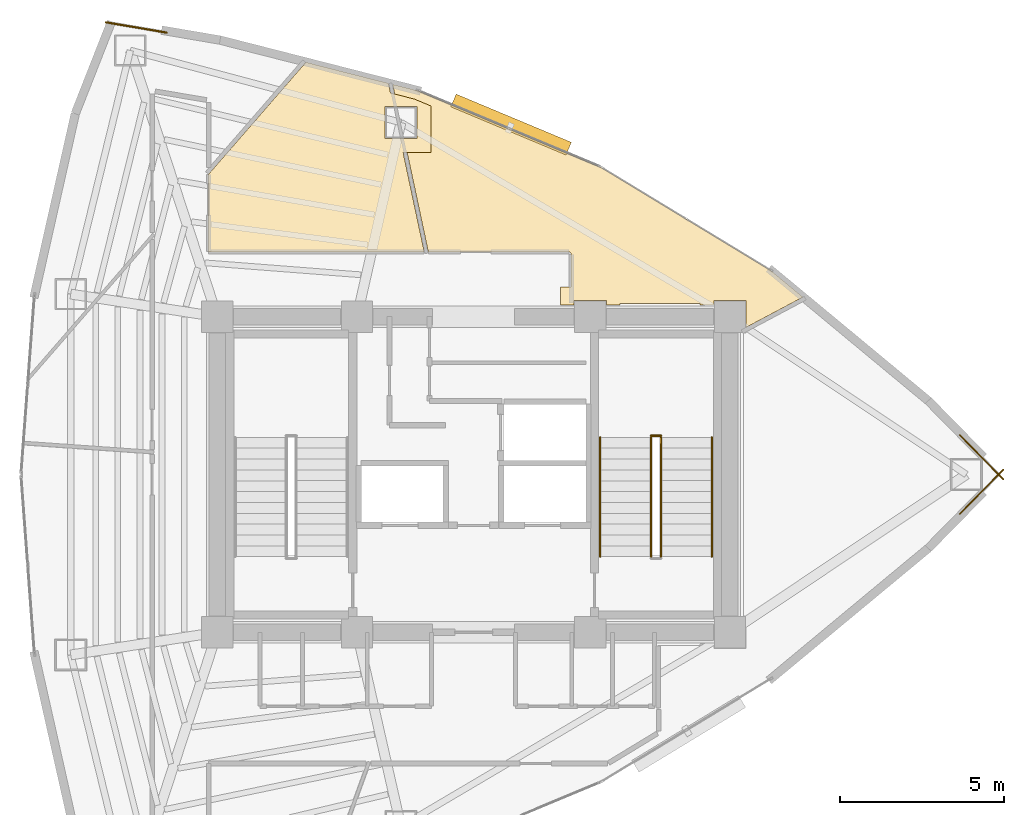
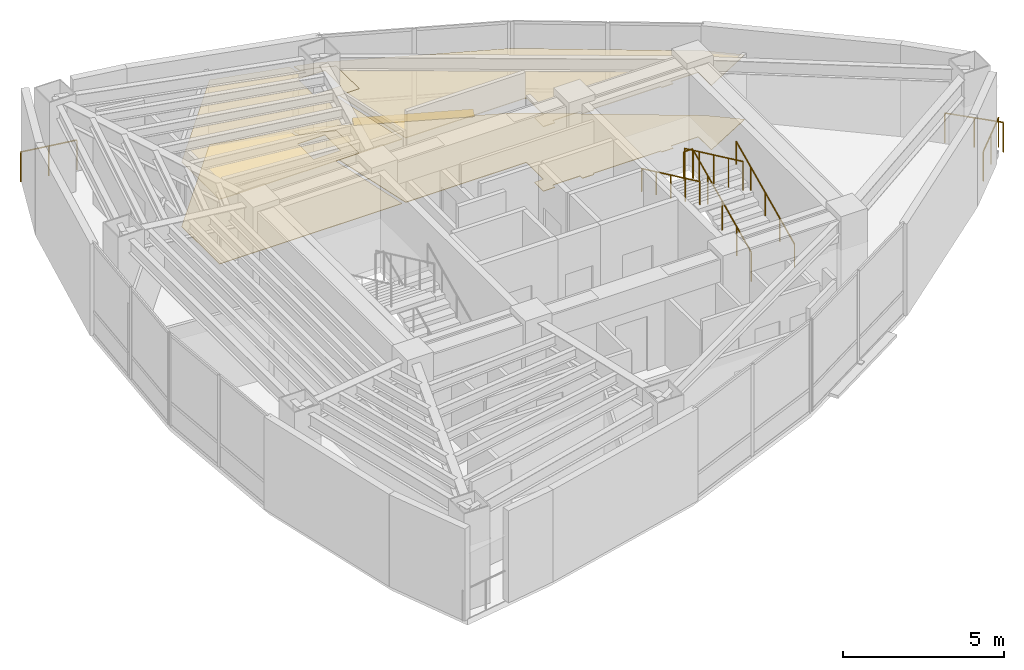
# One storey, part 15 of 15: 8 railings, 4 coverings, 1 shading device.
"""IFC4 building model written with IfcOpenShell, lengths in metres."""

from ifc_helpers import new_model, si_unit, direction, frame, origin, origin_2d, place, context, subcontext, project, spatial, polyline, rectangle, circle, outline, extrude, material, layer, layer_set, type_object, element, save


model = new_model("IFC4")

# Units and contexts
model_context = context("Model", 3, precision=1e-05, world=origin(), true_north=direction((0.0, 1.0)))
body_context = subcontext(model_context, "Body", "Model", "MODEL_VIEW")
ifc_project = project(units=[si_unit("LENGTHUNIT", "METRE"), si_unit("AREAUNIT", "SQUARE_METRE"), si_unit("VOLUMEUNIT", "CUBIC_METRE"), si_unit("PLANEANGLEUNIT", "RADIAN"), si_unit("MASSUNIT", "GRAM", prefix="KILO")], contexts=[model_context])

# Site, building, storey
site_placement = place(None, origin())
site = spatial("IfcSite", under=ifc_project, at=site_placement, CompositionType="ELEMENT")
building_placement = place(site_placement, origin())
building = spatial("IfcBuilding", under=site, at=building_placement, Name="Menara Vayukalpa", CompositionType="ELEMENT")
storey_placement = place(building_placement, frame((0.0, 0.0, 226.97998046875)))
storey = spatial("IfcBuildingStorey", under=building, at=storey_placement, Name="L57", CompositionType="ELEMENT", Elevation=226.97998046875)

# Coverings
ifc_material_1 = material(Name="Mineral Fibre Acoustic Ceiling Tile", Category="masonry")
ifc_layer_1 = layer(ifc_material_1, 0.02490234375)
ifc_layer_set_1 = layer_set([ifc_layer_1], Name="Mineral Fibre Acoustic Ceiling Tile")
covering_type_1 = type_object("IfcCoveringType", Name="COV-CLG1", PredefinedType="CEILING", material=ifc_layer_set_1)
covering_1_placement = place(storey_placement, frame((0.0, 0.0, 2.449951171875)))
element("IfcCovering", 1, at=covering_1_placement, inside=storey, type_object=covering_type_1, Name="L57 Operations Support Office Acoustic Ceiling", PredefinedType="CEILING", context=body_context, shape_type="SweptSolid", body=[
    extrude(outline(polyline([(29.639892578125, 27.14990234375), (29.639892578125, 27.2900390625), (28.659912109375, 27.2900390625), (28.659912109375, 27.14990234375), (28.239990234375, 27.14990234375), (28.239990234375, 27.7099609375), (28.570068359375, 27.7099609375), (28.570068359375, 28.69970703125), (28.569580078125, 28.706787109375), (28.568603515625, 28.713623046875), (28.56689453125, 28.72021484375), (28.564697265625, 28.726806640625), (28.561767578125, 28.73291015625), (28.55810546875, 28.73876953125), (28.553955078125, 28.744384765625), (28.549560546875, 28.74951171875), (28.54443359375, 28.75390625), (28.538818359375, 28.75830078125), (28.532958984375, 28.76171875), (28.52685546875, 28.7646484375), (28.520263671875, 28.76708984375), (28.513671875, 28.768798828125), (28.5068359375, 28.76953125), (28.499755859375, 28.77001953125), (24.23046875, 28.77001953125), (24.2294921875, 28.77001953125), (24.228515625, 28.770263671875), (24.2275390625, 28.7705078125), (24.2265625, 28.770751953125), (24.2255859375, 28.771240234375), (24.224853515625, 28.771728515625), (24.22412109375, 28.772216796875), (24.223388671875, 28.77294921875), (24.22265625, 28.773681640625), (24.22216796875, 28.7744140625), (24.2216796875, 28.775146484375), (24.22119140625, 28.776123046875), (24.220947265625, 28.777099609375), (24.220703125, 28.77783203125), (23.57861328125, 31.79833984375), (22.4794921875, 31.79833984375), (22.4794921875, 33.618408203125), (23.03076171875, 33.618408203125), (23.200927734375, 33.574951171875), (23.1416015625, 33.853759765625), (23.1416015625, 33.854736328125), (23.1416015625, 33.855712890625), (23.1416015625, 33.856689453125), (23.1416015625, 33.857666015625), (23.141845703125, 33.858642578125), (23.14208984375, 33.859619140625), (23.142578125, 33.8603515625), (23.14306640625, 33.861083984375), (23.1435546875, 33.862060546875), (23.144287109375, 33.86279296875), (23.14501953125, 33.86328125), (23.145751953125, 33.864013671875), (23.146484375, 33.864501953125), (23.1474609375, 33.864990234375), (23.148193359375, 33.865478515625), (23.149169921875, 33.865478515625), (23.150146484375, 33.86572265625), (23.151123046875, 33.865966796875), (23.152099609375, 33.865966796875), (23.153076171875, 33.86572265625), (23.154052734375, 33.865478515625), (23.884765625, 33.67919921875), (23.885986328125, 33.6787109375), (29.478515625, 31.33935546875), (29.479248046875, 31.339111328125), (29.47998046875, 31.338623046875), (34.660888671875, 28.19140625), (34.662109375, 28.190673828125), (35.60888671875, 27.405517578125), (35.609619140625, 27.40478515625), (35.6103515625, 27.404052734375), (35.61083984375, 27.4033203125), (35.611328125, 27.40234375), (35.61181640625, 27.401611328125), (35.6123046875, 27.400634765625), (35.6123046875, 27.399658203125), (35.612548828125, 27.398681640625), (35.612548828125, 27.397705078125), (35.612548828125, 27.396728515625), (35.6123046875, 27.395751953125), (35.6123046875, 27.394775390625), (35.61181640625, 27.393798828125), (35.611328125, 27.39306640625), (35.61083984375, 27.39208984375), (35.6103515625, 27.391357421875), (35.609619140625, 27.390625), (35.60888671875, 27.389892578125), (35.608154296875, 27.389404296875), (35.607421875, 27.388916015625), (33.889892578125, 26.475830078125), (33.889892578125, 27.2900390625), (32.909912109375, 27.2900390625), (32.909912109375, 27.14990234375), (32.489990234375, 27.14990234375), (32.489990234375, 27.2099609375), (30.06005859375, 27.2099609375), (30.06005859375, 27.14990234375), (29.639892578125, 27.14990234375)]), holes=[polyline([(23.87939453125, 33.198486328125), (22.8994140625, 33.198486328125), (22.8994140625, 32.218505859375), (23.87939453125, 32.218505859375), (23.87939453125, 33.198486328125)])]), origin(), (0.0, 0.0, 1.0), 0.025146484375),
])
covering_2_placement = place(storey_placement, frame((0.0, 0.0, 2.449951171875)))
element("IfcCovering", 2, at=covering_2_placement, inside=storey, type_object=covering_type_1, Name="L57 Operations Support Office Acoustic Ceiling", PredefinedType="CEILING", context=body_context, shape_type="SweptSolid", body=[
    extrude(outline(polyline([(23.00439453125, 33.903564453125), (23.00537109375, 33.903076171875), (23.006103515625, 33.902587890625), (23.0068359375, 33.902099609375), (23.007568359375, 33.9013671875), (23.008056640625, 33.900634765625), (23.0087890625, 33.89990234375), (23.009033203125, 33.89892578125), (23.009521484375, 33.898193359375), (23.009765625, 33.897216796875), (23.010009765625, 33.896240234375), (23.01025390625, 33.895263671875), (23.0712890625, 33.608154296875), (23.799560546875, 33.42236328125), (24.29931640625, 33.21337890625), (24.29931640625, 31.79833984375), (23.455810546875, 31.79833984375), (24.09716796875, 28.781982421875), (24.09716796875, 28.781005859375), (24.097412109375, 28.780029296875), (24.097412109375, 28.779052734375), (24.09716796875, 28.778076171875), (24.096923828125, 28.777099609375), (24.0966796875, 28.7763671875), (24.09619140625, 28.775390625), (24.095703125, 28.7744140625), (24.09521484375, 28.773681640625), (24.094482421875, 28.77294921875), (24.09375, 28.772216796875), (24.093017578125, 28.771728515625), (24.092041015625, 28.771240234375), (24.09130859375, 28.770751953125), (24.090087890625, 28.7705078125), (24.08935546875, 28.770263671875), (24.08837890625, 28.77001953125), (24.08740234375, 28.77001953125), (17.5400390625, 28.77001953125), (17.5390625, 28.77001953125), (17.5380859375, 28.770263671875), (17.537109375, 28.7705078125), (17.5361328125, 28.770751953125), (17.535400390625, 28.771240234375), (17.534423828125, 28.771728515625), (17.53369140625, 28.772216796875), (17.532958984375, 28.77294921875), (17.5322265625, 28.773681640625), (17.53173828125, 28.7744140625), (17.53125, 28.775390625), (17.53076171875, 28.776123046875), (17.530517578125, 28.777099609375), (17.5302734375, 28.778076171875), (17.530029296875, 28.779052734375), (17.530029296875, 28.780029296875), (17.530029296875, 31.125), (17.530029296875, 31.125732421875), (17.5302734375, 31.126708984375), (17.530517578125, 31.127685546875), (17.53076171875, 31.128662109375), (17.531005859375, 31.12939453125), (17.531494140625, 31.130126953125), (17.531982421875, 31.131103515625), (17.53271484375, 31.131591796875), (17.535400390625, 31.134521484375), (20.492919921875, 34.536865234375), (20.493896484375, 34.537841796875), (20.494384765625, 34.53857421875), (20.4951171875, 34.539306640625), (20.495849609375, 34.539794921875), (20.49658203125, 34.540283203125), (20.49755859375, 34.541015625), (20.498291015625, 34.541259765625), (20.49951171875, 34.54150390625), (20.500244140625, 34.541748046875), (20.501220703125, 34.541748046875), (20.502197265625, 34.541748046875), (20.503173828125, 34.541748046875), (20.504150390625, 34.54150390625), (23.002685546875, 33.904296875), (23.003662109375, 33.90380859375), (23.00439453125, 33.903564453125)]), holes=[polyline([(23.87939453125, 33.198486328125), (22.8994140625, 33.198486328125), (22.8994140625, 32.218505859375), (23.87939453125, 32.218505859375), (23.87939453125, 33.198486328125)])]), origin(), (0.0, 0.0, 1.0), 0.025146484375),
])
ifc_material_2 = material(Name="Porcelain Stoneware Floor Tile", Category="masonry")
ifc_layer_2 = layer(ifc_material_2, 0.02001953125)
ifc_layer_set_2 = layer_set([ifc_layer_2], Name="Porcelain Stoneware Floor Tile")
covering_type_2 = type_object("IfcCoveringType", Name="COV-FLR1", PredefinedType="FLOORING", material=ifc_layer_set_2)
covering_3_placement = place(storey_placement, origin())
element("IfcCovering", 3, at=covering_3_placement, inside=storey, type_object=covering_type_2, Name="L57 Operations Support Office Porcelain Flooring", PredefinedType="FLOORING", context=body_context, shape_type="SweptSolid", body=[
    extrude(outline(polyline([(29.639892578125, 27.14990234375), (29.639892578125, 27.2900390625), (28.659912109375, 27.2900390625), (28.659912109375, 27.14990234375), (28.239990234375, 27.14990234375), (28.239990234375, 27.7099609375), (28.570068359375, 27.7099609375), (28.570068359375, 28.69970703125), (28.569580078125, 28.706787109375), (28.568603515625, 28.713623046875), (28.56689453125, 28.72021484375), (28.564697265625, 28.726806640625), (28.561767578125, 28.73291015625), (28.55810546875, 28.73876953125), (28.553955078125, 28.744384765625), (28.549560546875, 28.74951171875), (28.54443359375, 28.75390625), (28.538818359375, 28.75830078125), (28.532958984375, 28.76171875), (28.52685546875, 28.7646484375), (28.520263671875, 28.76708984375), (28.513671875, 28.768798828125), (28.5068359375, 28.76953125), (28.499755859375, 28.77001953125), (24.23046875, 28.77001953125), (24.2294921875, 28.77001953125), (24.228515625, 28.770263671875), (24.2275390625, 28.7705078125), (24.2265625, 28.770751953125), (24.2255859375, 28.771240234375), (24.224853515625, 28.771728515625), (24.22412109375, 28.772216796875), (24.223388671875, 28.77294921875), (24.22265625, 28.773681640625), (24.22216796875, 28.7744140625), (24.2216796875, 28.775146484375), (24.22119140625, 28.776123046875), (24.220947265625, 28.777099609375), (24.220703125, 28.77783203125), (23.57861328125, 31.79833984375), (22.4794921875, 31.79833984375), (22.4794921875, 33.618408203125), (23.03076171875, 33.618408203125), (23.200927734375, 33.574951171875), (23.1416015625, 33.853759765625), (23.1416015625, 33.854736328125), (23.1416015625, 33.855712890625), (23.1416015625, 33.856689453125), (23.1416015625, 33.857666015625), (23.141845703125, 33.858642578125), (23.14208984375, 33.859619140625), (23.142578125, 33.8603515625), (23.14306640625, 33.861083984375), (23.1435546875, 33.862060546875), (23.144287109375, 33.86279296875), (23.14501953125, 33.86328125), (23.145751953125, 33.864013671875), (23.146484375, 33.864501953125), (23.1474609375, 33.864990234375), (23.148193359375, 33.865478515625), (23.149169921875, 33.865478515625), (23.150146484375, 33.86572265625), (23.151123046875, 33.865966796875), (23.152099609375, 33.865966796875), (23.153076171875, 33.86572265625), (23.154052734375, 33.865478515625), (23.884765625, 33.67919921875), (23.885986328125, 33.6787109375), (29.478515625, 31.33935546875), (29.479248046875, 31.339111328125), (29.47998046875, 31.338623046875), (34.660888671875, 28.19140625), (34.662109375, 28.190673828125), (35.60888671875, 27.405517578125), (35.609619140625, 27.40478515625), (35.6103515625, 27.404052734375), (35.61083984375, 27.4033203125), (35.611328125, 27.40234375), (35.61181640625, 27.401611328125), (35.6123046875, 27.400634765625), (35.6123046875, 27.399658203125), (35.612548828125, 27.398681640625), (35.612548828125, 27.397705078125), (35.612548828125, 27.396728515625), (35.6123046875, 27.395751953125), (35.6123046875, 27.394775390625), (35.61181640625, 27.393798828125), (35.611328125, 27.39306640625), (35.61083984375, 27.39208984375), (35.6103515625, 27.391357421875), (35.609619140625, 27.390625), (35.60888671875, 27.389892578125), (35.608154296875, 27.389404296875), (35.607421875, 27.388916015625), (33.889892578125, 26.475830078125), (33.889892578125, 27.2900390625), (32.909912109375, 27.2900390625), (32.909912109375, 27.14990234375), (32.489990234375, 27.14990234375), (32.489990234375, 27.2099609375), (30.06005859375, 27.2099609375), (30.06005859375, 27.14990234375), (29.639892578125, 27.14990234375)]), holes=[polyline([(23.87939453125, 33.198486328125), (22.8994140625, 33.198486328125), (22.8994140625, 32.218505859375), (23.87939453125, 32.218505859375), (23.87939453125, 33.198486328125)])]), origin(), (0.0, 0.0, 1.0), 0.02001953125),
])
covering_4_placement = place(storey_placement, origin())
element("IfcCovering", 4, at=covering_4_placement, inside=storey, type_object=covering_type_2, Name="L57 Operations Support Office Porcelain Flooring", PredefinedType="FLOORING", context=body_context, shape_type="SweptSolid", body=[
    extrude(outline(polyline([(23.00439453125, 33.903564453125), (23.00537109375, 33.903076171875), (23.006103515625, 33.902587890625), (23.0068359375, 33.902099609375), (23.007568359375, 33.9013671875), (23.008056640625, 33.900634765625), (23.0087890625, 33.89990234375), (23.009033203125, 33.89892578125), (23.009521484375, 33.898193359375), (23.009765625, 33.897216796875), (23.010009765625, 33.896240234375), (23.01025390625, 33.895263671875), (23.0712890625, 33.608154296875), (23.799560546875, 33.42236328125), (24.29931640625, 33.21337890625), (24.29931640625, 31.79833984375), (23.455810546875, 31.79833984375), (24.09716796875, 28.781982421875), (24.09716796875, 28.781005859375), (24.097412109375, 28.780029296875), (24.097412109375, 28.779052734375), (24.09716796875, 28.778076171875), (24.096923828125, 28.777099609375), (24.0966796875, 28.7763671875), (24.09619140625, 28.775390625), (24.095703125, 28.7744140625), (24.09521484375, 28.773681640625), (24.094482421875, 28.77294921875), (24.09375, 28.772216796875), (24.093017578125, 28.771728515625), (24.092041015625, 28.771240234375), (24.09130859375, 28.770751953125), (24.090087890625, 28.7705078125), (24.08935546875, 28.770263671875), (24.08837890625, 28.77001953125), (24.08740234375, 28.77001953125), (17.5400390625, 28.77001953125), (17.5390625, 28.77001953125), (17.5380859375, 28.770263671875), (17.537109375, 28.7705078125), (17.5361328125, 28.770751953125), (17.535400390625, 28.771240234375), (17.534423828125, 28.771728515625), (17.53369140625, 28.772216796875), (17.532958984375, 28.77294921875), (17.5322265625, 28.773681640625), (17.53173828125, 28.7744140625), (17.53125, 28.775390625), (17.53076171875, 28.776123046875), (17.530517578125, 28.777099609375), (17.5302734375, 28.778076171875), (17.530029296875, 28.779052734375), (17.530029296875, 28.780029296875), (17.530029296875, 31.125), (17.530029296875, 31.125732421875), (17.5302734375, 31.126708984375), (17.530517578125, 31.127685546875), (17.53076171875, 31.128662109375), (17.531005859375, 31.12939453125), (17.531494140625, 31.130126953125), (17.531982421875, 31.131103515625), (17.53271484375, 31.131591796875), (17.535400390625, 31.134521484375), (20.492919921875, 34.536865234375), (20.493896484375, 34.537841796875), (20.494384765625, 34.53857421875), (20.4951171875, 34.539306640625), (20.495849609375, 34.539794921875), (20.49658203125, 34.540283203125), (20.49755859375, 34.541015625), (20.498291015625, 34.541259765625), (20.49951171875, 34.54150390625), (20.500244140625, 34.541748046875), (20.501220703125, 34.541748046875), (20.502197265625, 34.541748046875), (20.503173828125, 34.541748046875), (20.504150390625, 34.54150390625), (23.002685546875, 33.904296875), (23.003662109375, 33.90380859375), (23.00439453125, 33.903564453125)]), holes=[polyline([(23.87939453125, 33.198486328125), (22.8994140625, 33.198486328125), (22.8994140625, 32.218505859375), (23.87939453125, 32.218505859375), (23.87939453125, 33.198486328125)])]), origin(), (0.0, 0.0, 1.0), 0.02001953125),
])

# Railings
ifc_material_3 = material(Name="Laminated Glass and Stainless Steel 316 Guardrail", Category="steel")
railing_type_1 = type_object("IfcRailingType", Name="RLG-EXT115", PredefinedType="GUARDRAIL", material=ifc_material_3)
railing_1_placement = place(storey_placement, frame((40.392333984375, 20.800048828125, 0.0)))
element("IfcRailing", 5, at=railing_1_placement, inside=storey, type_object=railing_type_1, Name="L57 Column Corner Spandrel Guardrail 01-1", PredefinedType="GUARDRAIL", context=body_context, shape_type="SweptSolid", body=[
    extrude(circle(Radius=0.02392578125, at=origin_2d()), frame((0.0, 0.0, 1.1259765625), z_axis=(0.700555409966, 0.713598008382, 0.0), x_axis=(-0.713598008382, 0.700555409966, 0.0)), (0.0, 0.0, 1.0), 1.890625),
    extrude(circle(Radius=0.02099609375, at=origin_2d()), origin(), (0.0, 0.0, 1.0), 1.101806640625),
    extrude(circle(Radius=0.02099609375, at=origin_2d()), frame((0.662109375, 0.674560546875, 0.0)), (0.0, 0.0, 1.0), 1.101806640625),
    extrude(circle(Radius=0.02099609375, at=origin_2d()), frame((1.324462890625, 1.34912109375, 0.0)), (0.0, 0.0, 1.0), 1.101806640625),
])
railing_2_placement = place(storey_placement, frame((41.716796875, 21.850830078125, 0.0)))
element("IfcRailing", 6, at=railing_2_placement, inside=storey, type_object=railing_type_1, Name="L57 Column Corner Spandrel Guardrail 02-1", PredefinedType="GUARDRAIL", context=body_context, shape_type="SweptSolid", body=[
    extrude(circle(Radius=0.02392578125, at=origin_2d()), frame((0.0, 0.0, 1.1259765625), z_axis=(-0.700555409966, 0.713598008382, 0.0), x_axis=(-0.713598008382, -0.700555409966, 0.0)), (0.0, 0.0, 1.0), 1.890625),
    extrude(circle(Radius=0.02099609375, at=origin_2d()), origin(), (0.0, 0.0, 1.0), 1.101806640625),
    extrude(circle(Radius=0.02099609375, at=origin_2d()), frame((-0.662109375, 0.674560546875, 0.0)), (0.0, 0.0, 1.0), 1.101806640625),
    extrude(circle(Radius=0.02099609375, at=origin_2d()), frame((-1.324462890625, 1.34912109375, 0.0)), (0.0, 0.0, 1.0), 1.101806640625),
])
railing_3_placement = place(storey_placement, frame((16.256103515625, 35.44580078125, 0.0)))
element("IfcRailing", 7, at=railing_3_placement, inside=storey, type_object=railing_type_1, Name="L57 Column Corner Spandrel Guardrail 07-1", PredefinedType="GUARDRAIL", context=body_context, shape_type="SweptSolid", body=[
    extrude(circle(Radius=0.02392578125, at=origin_2d()), frame((0.0, 0.0, 1.1259765625), z_axis=(-0.985895107684, 0.167364382844, 0.0), x_axis=(-0.167364382844, -0.985895107684, 0.0)), (0.0, 0.0, 1.0), 1.86865234375),
    extrude(circle(Radius=0.02099609375, at=origin_2d()), origin(), (0.0, 0.0, 1.0), 1.101806640625),
    extrude(circle(Radius=0.02099609375, at=origin_2d()), frame((-0.921142578125, 0.15625, 0.0)), (0.0, 0.0, 1.0), 1.101806640625),
    extrude(circle(Radius=0.02099609375, at=origin_2d()), frame((-1.84228515625, 0.312744140625, 0.0)), (0.0, 0.0, 1.0), 1.101806640625),
])
ifc_material_4 = material(Name="Powder-Coated Galvanised Steel Guardrail", Category="steel")
railing_type_2 = type_object("IfcRailingType", Name="RLG-STG110", PredefinedType="GUARDRAIL", material=ifc_material_4)
railing_4_placement = place(storey_placement, frame((31.300048828125, 19.5, 0.155029296875)))
element("IfcRailing", 8, at=railing_4_placement, inside=storey, type_object=railing_type_2, Name="L57 ST-2 stair guard 1", PredefinedType="GUARDRAIL", context=body_context, shape_type="SweptSolid", body=[
    extrude(circle(Radius=0.02392578125, at=origin_2d()), frame((0.0, 0.0, 1.09619140625), z_axis=(0.0, 0.90511648382, 0.425163675209), x_axis=(-1.0, 0.0, 0.0)), (0.0, 0.0, 1.0), 4.010498046875),
    extrude(circle(Radius=0.02099609375, at=origin_2d()), origin(), (0.0, 0.0, 1.0), 1.072021484375),
    extrude(circle(Radius=0.02099609375, at=origin_2d()), frame((0.0, 0.907470703125, 0.42626953125)), (0.0, 0.0, 1.0), 1.072021484375),
    extrude(circle(Radius=0.02099609375, at=origin_2d()), frame((0.0, 1.81494140625, 0.8525390625)), (0.0, 0.0, 1.0), 1.072021484375),
    extrude(circle(Radius=0.02099609375, at=origin_2d()), frame((0.0, 2.722412109375, 1.27880859375)), (0.0, 0.0, 1.0), 1.072021484375),
    extrude(circle(Radius=0.02099609375, at=origin_2d()), frame((0.0, 3.6298828125, 1.705078125)), (0.0, 0.0, 1.0), 1.072021484375),
])
railing_5_placement = place(storey_placement, frame((31.31005859375, 23.179931640625, 1.860107421875)))
element("IfcRailing", 9, at=railing_5_placement, inside=storey, type_object=railing_type_2, Name="L57 ST-2 stair guard 2", PredefinedType="GUARDRAIL", context=body_context, shape_type="SweptSolid", body=[
    extrude(circle(Radius=0.02392578125, at=origin_2d()), frame((0.0, 0.0, 1.09619140625), z_axis=(-1.0, 0.0, 0.0), x_axis=(0.0, -1.0, 0.0)), (0.0, 0.0, 1.0), 0.320068359375),
    extrude(circle(Radius=0.02099609375, at=origin_2d()), origin(), (0.0, 0.0, 1.0), 1.072021484375),
    extrude(circle(Radius=0.02099609375, at=origin_2d()), frame((-0.320068359375, 0.0, 0.0)), (0.0, 0.0, 1.0), 1.072021484375),
])
railing_6_placement = place(storey_placement, frame((31.0, 23.1298828125, 2.01513671875)))
element("IfcRailing", 10, at=railing_6_placement, inside=storey, type_object=railing_type_2, Name="L57 ST-2 stair guard 3", PredefinedType="GUARDRAIL", context=body_context, shape_type="SweptSolid", body=[
    extrude(circle(Radius=0.02392578125, at=origin_2d()), frame((0.0, 0.0, 1.09619140625), z_axis=(0.0, -0.90513990983, 0.425113800803), x_axis=(1.0, 0.0, 0.0)), (0.0, 0.0, 1.0), 4.01025390625),
    extrude(circle(Radius=0.02099609375, at=origin_2d()), origin(), (0.0, 0.0, 1.0), 1.072021484375),
    extrude(circle(Radius=0.02099609375, at=origin_2d()), frame((0.0, -0.907470703125, 0.42626953125)), (0.0, 0.0, 1.0), 1.072021484375),
    extrude(circle(Radius=0.02099609375, at=origin_2d()), frame((0.0, -1.81494140625, 0.8525390625)), (0.0, 0.0, 1.0), 1.072021484375),
    extrude(circle(Radius=0.02099609375, at=origin_2d()), frame((0.0, -2.722412109375, 1.278564453125)), (0.0, 0.0, 1.0), 1.072021484375),
    extrude(circle(Radius=0.02099609375, at=origin_2d()), frame((0.0, -3.6298828125, 1.704833984375)), (0.0, 0.0, 1.0), 1.072021484375),
])
ifc_material_5 = material(Name="Stainless Steel 316 Tubular Handrail", Category="steel")
railing_type_3 = type_object("IfcRailingType", Name="RLG-STH090", PredefinedType="HANDRAIL", material=ifc_material_5)
railing_7_placement = place(storey_placement, frame((32.85009765625, 19.5, 0.155029296875)))
element("IfcRailing", 11, at=railing_7_placement, inside=storey, type_object=railing_type_3, Name="L57 ST-2 stair handrail 1", PredefinedType="HANDRAIL", context=body_context, shape_type="SweptSolid", body=[
    extrude(circle(Radius=0.02392578125, at=origin_2d()), frame((0.0, 0.0, 0.8759765625), z_axis=(0.0, 0.90511648382, 0.425163675209), x_axis=(-1.0, 0.0, 0.0)), (0.0, 0.0, 1.0), 4.010498046875),
    extrude(circle(Radius=0.02099609375, at=origin_2d()), origin(), (0.0, 0.0, 1.0), 0.851806640625),
    extrude(circle(Radius=0.02099609375, at=origin_2d()), frame((0.0, 0.907470703125, 0.42626953125)), (0.0, 0.0, 1.0), 0.851806640625),
    extrude(circle(Radius=0.02099609375, at=origin_2d()), frame((0.0, 1.81494140625, 0.8525390625)), (0.0, 0.0, 1.0), 0.851806640625),
    extrude(circle(Radius=0.02099609375, at=origin_2d()), frame((0.0, 2.722412109375, 1.27880859375)), (0.0, 0.0, 1.0), 0.851806640625),
    extrude(circle(Radius=0.02099609375, at=origin_2d()), frame((0.0, 3.6298828125, 1.705078125)), (0.0, 0.0, 1.0), 0.851806640625),
])
railing_8_placement = place(storey_placement, frame((29.449951171875, 23.1298828125, 2.01513671875)))
element("IfcRailing", 12, at=railing_8_placement, inside=storey, type_object=railing_type_3, Name="L57 ST-2 stair handrail 2", PredefinedType="HANDRAIL", context=body_context, shape_type="SweptSolid", body=[
    extrude(circle(Radius=0.02392578125, at=origin_2d()), frame((0.0, 0.0, 0.8759765625), z_axis=(0.0, -0.90513990983, 0.425113800803), x_axis=(1.0, 0.0, 0.0)), (0.0, 0.0, 1.0), 4.01025390625),
    extrude(circle(Radius=0.02099609375, at=origin_2d()), origin(), (0.0, 0.0, 1.0), 0.851806640625),
    extrude(circle(Radius=0.02099609375, at=origin_2d()), frame((0.0, -0.907470703125, 0.42626953125)), (0.0, 0.0, 1.0), 0.851806640625),
    extrude(circle(Radius=0.02099609375, at=origin_2d()), frame((0.0, -1.81494140625, 0.8525390625)), (0.0, 0.0, 1.0), 0.851806640625),
    extrude(circle(Radius=0.02099609375, at=origin_2d()), frame((0.0, -2.722412109375, 1.278564453125)), (0.0, 0.0, 1.0), 0.851806640625),
    extrude(circle(Radius=0.02099609375, at=origin_2d()), frame((0.0, -3.6298828125, 1.704833984375)), (0.0, 0.0, 1.0), 0.851806640625),
])

# Shading device
ifc_material_6 = material(Name="Glazed Terracotta Ceramic Baguette Extrusion", Category="masonry")
ifc_layer_3 = layer(ifc_material_6, 0.1201171875)
ifc_layer_set_3 = layer_set([ifc_layer_3], Name="Glazed Terracotta Ceramic Baguette Extrusion")
shading_device_type = type_object("IfcShadingDeviceType", Name="SHD-SS1", PredefinedType="USERDEFINED", material=ifc_layer_set_3)
shading_device_placement = place(storey_placement, frame((26.740234375, 32.6474609375, -0.10009765625), z_axis=(0.0, 0.0, 1.0), x_axis=(-0.922538089456, 0.385906042324, 0.0)))
element("IfcShadingDevice", 13, at=shading_device_placement, inside=storey, type_object=shading_device_type, Name="L57 Horizontal Terracotta Sunshade Band 05", ObjectType="SUNSHADE", PredefinedType="USERDEFINED", context=body_context, shape_type="SweptSolid", body=[
    extrude(rectangle(XDim=3.800048828125, YDim=0.419921875, at=origin_2d()), origin(), (0.0, 0.0, 1.0), 0.1201171875),
])

save(model, "model.ifc")
